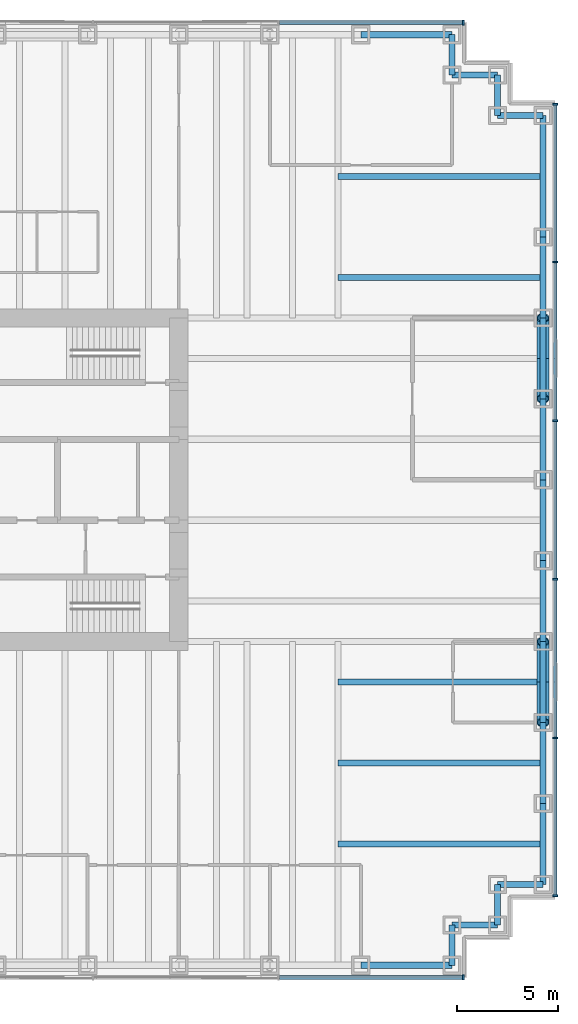
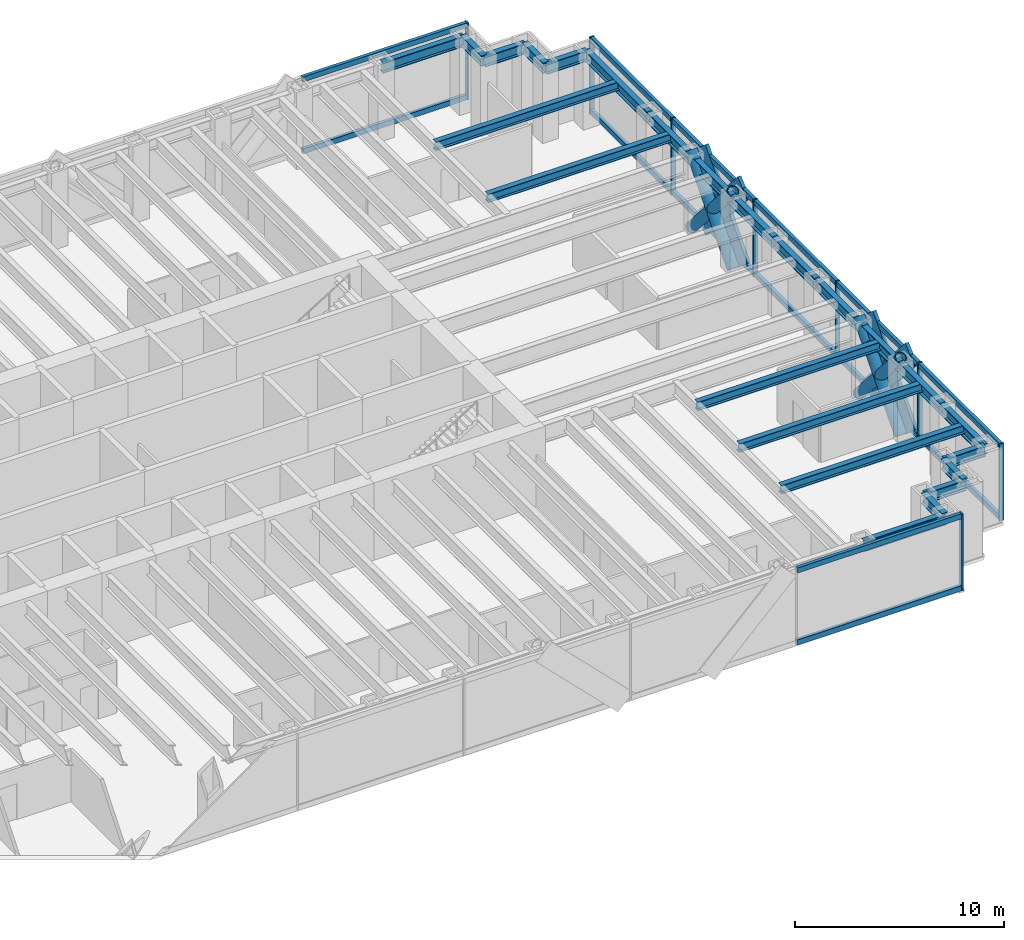
# One storey, part 7 of 13: 30 members, 24 beams, 3 elements without a shape of their own.
"""IFC4 building model written with IfcOpenShell, lengths in metres."""

import ifcopenshell
import ifcopenshell.guid

model = None  # the IFC model being written
_history = None  # IfcOwnerHistory: only IFC2X3 demands one
_inside = {}  # id of a spatial element -> (the spatial element, [elements in it])
_under = {}  # id of a project, library or spatial element -> (it, [spatial elements below it])
_declared = {}  # id of a project -> (the project, [libraries it declares])
_typed = {}  # id of a type object -> (the type object, [elements of that type])
_made_of = {}  # id of a material, layer set ... -> (it, [elements and type objects made of it])


def new_model(schema):
    """Start an empty IFC model of exactly this schema.

    Asked for "IFC4X3", IfcOpenShell would pick the latest addendum, in which some entities
    have other attributes; the version numbers below select the first issue.
    IFC2X3 requires an IfcOwnerHistory on every rooted entity: one is made here for all.
    """
    global model, _history
    if schema == "IFC4X3":
        model = ifcopenshell.file(schema_version=(4, 3, 0, 0))
    else:
        model = ifcopenshell.file(schema=schema)
    _inside.clear()
    _under.clear()
    _declared.clear()
    _typed.clear()
    _made_of.clear()
    _history = None
    if model.schema == "IFC2X3":
        org = make("IfcOrganization", Name="unknown")
        user = make(
            "IfcPersonAndOrganization",
            ThePerson=make("IfcPerson", FamilyName="unknown"),
            TheOrganization=org,
        )
        app = make(
            "IfcApplication",
            ApplicationDeveloper=org,
            Version="unknown",
            ApplicationFullName="unknown",
            ApplicationIdentifier="unknown",
        )
        _history = make(
            "IfcOwnerHistory",
            OwningUser=user,
            OwningApplication=app,
            ChangeAction="ADDED",
            CreationDate=0,
        )
    return model


def make(cls, **values):
    """One entity of the class cls with the attributes given. An attribute that is None is left unset."""
    return model.create_entity(
        cls, **{name: value for name, value in values.items() if value is not None}
    )


def rooted(cls, **values):
    """An entity with a GlobalId (a new one), such as an element, a storey or a relation."""
    return make(cls, GlobalId=ifcopenshell.guid.new(), OwnerHistory=_history, **values)


def si_unit(unit_type, name, prefix=None):
    """IfcSIUnit, for example si_unit("LENGTHUNIT", "METRE", prefix="MILLI")."""
    return make("IfcSIUnit", UnitType=unit_type, Prefix=prefix, Name=name)


def assignment(units):
    """IfcUnitAssignment: the units of a project."""
    return None if units is None else make("IfcUnitAssignment", Units=units)


def point(xyz):
    """IfcCartesianPoint."""
    return None if xyz is None else make("IfcCartesianPoint", Coordinates=xyz)


def direction(xyz):
    """IfcDirection."""
    return None if xyz is None else make("IfcDirection", DirectionRatios=xyz)


def frame(location, z_axis=None, x_axis=None):
    """IfcAxis2Placement3D, a coordinate frame: its origin and axes. An axis left out is left unset."""
    return make(
        "IfcAxis2Placement3D",
        Location=point(location),
        Axis=direction(z_axis),
        RefDirection=direction(x_axis),
    )


def frame_2d(location, x_axis=None):
    """IfcAxis2Placement2D, a coordinate frame in the plane: its origin and x axis."""
    return make(
        "IfcAxis2Placement2D", Location=point(location), RefDirection=direction(x_axis)
    )


def origin():
    """The frame at (0, 0, 0) with its axes left unset."""
    return frame((0.0, 0.0, 0.0))


def origin_2d():
    """The frame at (0, 0) in the plane with its x axis left unset."""
    return frame_2d((0.0, 0.0))


def place(relative_to, where):
    """IfcLocalPlacement: puts the frame where relative to a parent placement (None: the world)."""
    return make(
        "IfcLocalPlacement", PlacementRelTo=relative_to, RelativePlacement=where
    )


def context(
    kind, dimensions, precision=None, world=None, true_north=None, identifier=None
):
    """IfcGeometricRepresentationContext, for example the 3D "Model" context."""
    return make(
        "IfcGeometricRepresentationContext",
        ContextIdentifier=identifier,
        ContextType=kind,
        CoordinateSpaceDimension=dimensions,
        Precision=precision,
        WorldCoordinateSystem=world,
        TrueNorth=true_north,
    )


def subcontext(parent, identifier, kind, view, scale=None):
    """IfcGeometricRepresentationSubContext, for example "Body" below "Model"."""
    return make(
        "IfcGeometricRepresentationSubContext",
        ContextIdentifier=identifier,
        ContextType=kind,
        ParentContext=parent,
        TargetScale=scale,
        TargetView=view,
    )


def project(units=None, contexts=None):
    """IfcProject with its units and contexts."""
    return rooted(
        "IfcProject",
        Name="project",
        RepresentationContexts=contexts,
        UnitsInContext=assignment(units),
    )


def spatial(cls, under=None, at=None, **own):
    """A site, building, storey or space (cls), placed at a placement, below another one or the project."""
    s = rooted(cls, ObjectPlacement=at, **own)
    if under is not None:
        _under.setdefault(under.id(), (under, []))[1].append(s)
    return s


def profile(cls, at=None, kind="AREA", **sizes):
    """A parametric profile (cls). Its sizes go by their IFC names, for example OverallWidth=200.0."""
    return make(cls, ProfileType=kind, Position=at, **sizes)


def rectangle(**sizes):
    """IfcRectangleProfileDef."""
    return profile("IfcRectangleProfileDef", **sizes)


def hollow_circle(**sizes):
    """IfcCircleHollowProfileDef."""
    return profile("IfcCircleHollowProfileDef", **sizes)


def i_section(**sizes):
    """IfcIShapeProfileDef."""
    return profile("IfcIShapeProfileDef", **sizes)


def extrude(swept, where, along, depth):
    """IfcExtrudedAreaSolid: the profile swept, set in the frame where, extruded along a direction by depth."""
    return make(
        "IfcExtrudedAreaSolid",
        SweptArea=swept,
        Position=where,
        ExtrudedDirection=direction(along),
        Depth=depth,
    )


def shape(context_of_items, identifier, shape_type, items):
    """IfcShapeRepresentation: the items that make up one representation, for example the "Body"."""
    return make(
        "IfcShapeRepresentation",
        ContextOfItems=context_of_items,
        RepresentationIdentifier=identifier,
        RepresentationType=shape_type,
        Items=items,
    )


def material(Name=None, Category=None):
    """IfcMaterial."""
    return make("IfcMaterial", Name=Name, Category=Category)


def material_profile(
    of_material, cross_section, Name=None, Category=None, Priority=None
):
    """IfcMaterialProfile: a cross section and its material."""
    return make(
        "IfcMaterialProfile",
        Name=Name,
        Material=of_material,
        Profile=cross_section,
        Priority=Priority,
        Category=Category,
    )


def profile_set(profiles, Name=None, composite=None):
    """IfcMaterialProfileSet."""
    return make(
        "IfcMaterialProfileSet",
        Name=Name,
        MaterialProfiles=profiles,
        CompositeProfile=composite,
    )


def made_of(thing, what):
    """Note that an element or type object is made of a material, layer set ...; save() writes the relation."""
    if what is not None:
        _made_of.setdefault(what.id(), (what, []))[1].append(thing)
    return thing


def type_object(cls, material=None, **own):
    """A type object (cls), such as IfcWallType, which elements share."""
    return made_of(rooted(cls, **own), material)


def element(
    cls,
    number,
    at=None,
    inside=None,
    cuts=None,
    type_object=None,
    material=None,
    context=None,
    identifier="Body",
    shape_type=None,
    held_by="IfcProductDefinitionShape",
    body=None,
    shapes=None,
    **own,
):
    """One element of the class cls, such as IfcWall. Its Tag is "e" and its number.

    at: its placement. inside: the storey or other place that contains it. cuts: it is an
    opening in that element (IfcRelVoidsElement). A single representation is given by context,
    identifier, shape_type and body (its items); several are given by shapes. held_by: the class
    of the entity that holds the representations. save() writes the other relations.
    """
    e = rooted(cls, Tag="e%d" % number, ObjectPlacement=at, **own)
    if body is not None:
        shapes = [shape(context, identifier, shape_type, body)]
    if shapes is not None:
        e.Representation = make(held_by, Representations=shapes)
    if inside is not None:
        _inside.setdefault(inside.id(), (inside, []))[1].append(e)
    if cuts is not None:
        rooted(
            "IfcRelVoidsElement", RelatingBuildingElement=cuts, RelatedOpeningElement=e
        )
    if type_object is not None:
        _typed.setdefault(type_object.id(), (type_object, []))[1].append(e)
    return made_of(e, material)


def aggregate(whole, parts):
    """IfcRelAggregates: a whole, such as a stair, and the parts it consists of."""
    return rooted("IfcRelAggregates", RelatingObject=whole, RelatedObjects=parts)


def save(model, path):
    """Write the relations noted so far, then the file.

    IfcRelAggregates (storeys below a building ...), IfcRelContainedInSpatialStructure (elements
    in a storey), IfcRelDefinesByType, IfcRelAssociatesMaterial and IfcRelDeclares: one each for
    every whole, place, type object, material and project.
    """
    for whole, parts in _under.values():
        aggregate(whole, parts)
    for where, things in _inside.values():
        rooted(
            "IfcRelContainedInSpatialStructure",
            RelatedElements=things,
            RelatingStructure=where,
        )
    for kind, things in _typed.values():
        rooted("IfcRelDefinesByType", RelatedObjects=things, RelatingType=kind)
    for what, things in _made_of.values():
        rooted("IfcRelAssociatesMaterial", RelatedObjects=things, RelatingMaterial=what)
    for by, libraries in _declared.values():
        rooted("IfcRelDeclares", RelatingContext=by, RelatedDefinitions=libraries)
    model.write(path)


model = new_model("IFC4")

# Units and contexts
model_context = context("Model", 3, precision=1e-05, world=origin(), true_north=direction((0.0, 1.0)))
body_context = subcontext(model_context, "Body", "Model", "MODEL_VIEW")
ifc_project = project(units=[si_unit("LENGTHUNIT", "METRE"), si_unit("AREAUNIT", "SQUARE_METRE"), si_unit("VOLUMEUNIT", "CUBIC_METRE"), si_unit("PLANEANGLEUNIT", "RADIAN"), si_unit("MASSUNIT", "GRAM", prefix="KILO")], contexts=[model_context])

# Site, building, storey
site_placement = place(None, origin())
site = spatial("IfcSite", under=ifc_project, at=site_placement, CompositionType="ELEMENT")
building_placement = place(site_placement, origin())
building = spatial("IfcBuilding", under=site, at=building_placement, Name="Rheinbord Bourse Tower", CompositionType="ELEMENT")
storey_placement = place(building_placement, frame((0.0, 0.0, 50.0)))
storey = spatial("IfcBuildingStorey", under=building, at=storey_placement, Name="L10", CompositionType="ELEMENT", Elevation=50.0)

# Curtain wall, members
ifc_material_1 = material(Name="Dark glass and black aluminium", Category="aluminium")
curtain_wall_type = type_object("IfcCurtainWallType", Name="CW1 DARK GLASS CURTAIN WALL", PredefinedType="USERDEFINED", material=ifc_material_1)
curtain_wall_1_placement = place(storey_placement, origin())
curtain_wall_1 = element("IfcCurtainWall", 1, at=curtain_wall_1_placement, inside=storey, type_object=curtain_wall_type, Name="Curtain wall CW1 E L10", ObjectType="UNITISED CURTAIN WALL", PredefinedType="USERDEFINED")
ifc_material_2 = material(Name="Black anodised aluminium", Category="aluminium")
ifc_material_profile_1 = material_profile(ifc_material_2, rectangle(XDim=0.179931640625, YDim=1.2099609375, at=origin_2d()), Name="CW1 DIAGONAL MULLION 1210x180")
ifc_profile_set_1 = profile_set([ifc_material_profile_1], Name="Black anodised aluminium")
member_type_1 = type_object("IfcMemberType", Name="CW1 BLACK DIAGONAL MULLION", PredefinedType="USERDEFINED", material=ifc_profile_set_1)
member_1_placement = place(storey_placement, frame((72.60009765625, 32.0, 0.0), z_axis=(0.0, -0.66436383883, 0.747409318684), x_axis=(1.0, 0.0, 0.0)))
member_1 = element("IfcMember", 2, at=member_1_placement, type_object=member_type_1, Name="CW1 diagonal mullion a", ObjectType="DIAGONAL MULLION", PredefinedType="USERDEFINED", context=body_context, shape_type="SweptSolid", body=[
    extrude(rectangle(XDim=0.179931640625, YDim=1.2099609375, at=origin_2d()), origin(), (0.0, 0.0, 1.0), 6.020751953125),
])
member_2_placement = place(storey_placement, frame((72.60009765625, 12.0, 0.0), z_axis=(0.0, 0.66436383883, 0.747409318684), x_axis=(-1.0, 0.0, 0.0)))
member_2 = element("IfcMember", 3, at=member_2_placement, type_object=member_type_1, Name="CW1 diagonal mullion b", ObjectType="DIAGONAL MULLION", PredefinedType="USERDEFINED", context=body_context, shape_type="SweptSolid", body=[
    extrude(rectangle(XDim=0.179931640625, YDim=1.2099609375, at=origin_2d()), origin(), (0.0, 0.0, 1.0), 6.020751953125),
])
member_3_placement = place(storey_placement, frame((72.60009765625, 16.0, 0.0), z_axis=(0.0, -0.66436383883, 0.747409318684), x_axis=(1.0, 0.0, 0.0)))
member_3 = element("IfcMember", 4, at=member_3_placement, type_object=member_type_1, Name="CW1 diagonal mullion c", ObjectType="DIAGONAL MULLION", PredefinedType="USERDEFINED", context=body_context, shape_type="SweptSolid", body=[
    extrude(rectangle(XDim=0.179931640625, YDim=1.2099609375, at=origin_2d()), origin(), (0.0, 0.0, 1.0), 6.020751953125),
])
member_4_placement = place(storey_placement, frame((72.60009765625, 28.0, 0.0), z_axis=(0.0, 0.66436383883, 0.747409318684), x_axis=(-1.0, 0.0, 0.0)))
member_4 = element("IfcMember", 5, at=member_4_placement, type_object=member_type_1, Name="CW1 diagonal mullion d", ObjectType="DIAGONAL MULLION", PredefinedType="USERDEFINED", context=body_context, shape_type="SweptSolid", body=[
    extrude(rectangle(XDim=0.179931640625, YDim=1.2099609375, at=origin_2d()), origin(), (0.0, 0.0, 1.0), 6.020751953125),
])

# Curtain wall, member
curtain_wall_2_placement = place(storey_placement, origin())
curtain_wall_2 = element("IfcCurtainWall", 6, at=curtain_wall_2_placement, inside=storey, type_object=curtain_wall_type, Name="Curtain wall CW1 S L10", ObjectType="UNITISED CURTAIN WALL", PredefinedType="USERDEFINED")
ifc_material_3 = material(Name="Black anodised aluminium", Category="aluminium")
ifc_material_profile_2 = material_profile(ifc_material_3, rectangle(XDim=0.25, YDim=0.080078125, at=origin_2d()), Name="CW1 MULLION 80x250")
ifc_profile_set_2 = profile_set([ifc_material_profile_2], Name="Black anodised aluminium")
member_type_2 = type_object("IfcMemberType", Name="CW1 BLACK MULLION", PredefinedType="MULLION", material=ifc_profile_set_2)
member_5_placement = place(storey_placement, frame((68.06005859375, -0.60009765625, 0.0), z_axis=(0.0, 0.0, 1.0), x_axis=(0.0, 1.0, 0.0)))
member_5 = element("IfcMember", 7, at=member_5_placement, type_object=member_type_2, Name="CW1 mullion 8", PredefinedType="MULLION", context=body_context, shape_type="SweptSolid", body=[
    extrude(rectangle(XDim=0.25, YDim=0.080078125, at=origin_2d()), origin(), (0.0, 0.0, 1.0), 4.5),
])

# Member
member_6_placement = place(storey_placement, frame((72.60009765625, 3.43994140625, 0.0), z_axis=(0.0, 0.0, 1.0), x_axis=(-1.0, 0.0, 0.0)))
member_6 = element("IfcMember", 8, at=member_6_placement, type_object=member_type_2, Name="CW1 mullion 1", PredefinedType="MULLION", context=body_context, shape_type="SweptSolid", body=[
    extrude(rectangle(XDim=0.25, YDim=0.080078125, at=origin_2d()), origin(), (0.0, 0.0, 1.0), 4.5),
])

member_7_placement = place(storey_placement, frame((72.60009765625, 11.239990234375, 0.0), z_axis=(0.0, 0.0, 1.0), x_axis=(-1.0, 0.0, 0.0)))
member_7 = element("IfcMember", 9, at=member_7_placement, type_object=member_type_2, Name="CW1 mullion 2", PredefinedType="MULLION", context=body_context, shape_type="SweptSolid", body=[
    extrude(rectangle(XDim=0.25, YDim=0.080078125, at=origin_2d()), origin(), (0.0, 0.0, 1.0), 4.5),
])

member_8_placement = place(storey_placement, frame((72.60009765625, 19.080078125, 0.0), z_axis=(0.0, 0.0, 1.0), x_axis=(-1.0, 0.0, 0.0)))
member_8 = element("IfcMember", 10, at=member_8_placement, type_object=member_type_2, Name="CW1 mullion 3", PredefinedType="MULLION", context=body_context, shape_type="SweptSolid", body=[
    extrude(rectangle(XDim=0.25, YDim=0.080078125, at=origin_2d()), origin(), (0.0, 0.0, 1.0), 4.5),
])

member_9_placement = place(storey_placement, frame((72.60009765625, 26.919921875, 0.0), z_axis=(0.0, 0.0, 1.0), x_axis=(-1.0, 0.0, 0.0)))
member_9 = element("IfcMember", 11, at=member_9_placement, type_object=member_type_2, Name="CW1 mullion 4", PredefinedType="MULLION", context=body_context, shape_type="SweptSolid", body=[
    extrude(rectangle(XDim=0.25, YDim=0.080078125, at=origin_2d()), origin(), (0.0, 0.0, 1.0), 4.5),
])

member_10_placement = place(storey_placement, frame((72.60009765625, 34.760009765625, 0.0), z_axis=(0.0, 0.0, 1.0), x_axis=(-1.0, 0.0, 0.0)))
member_10 = element("IfcMember", 12, at=member_10_placement, type_object=member_type_2, Name="CW1 mullion 5", PredefinedType="MULLION", context=body_context, shape_type="SweptSolid", body=[
    extrude(rectangle(XDim=0.25, YDim=0.080078125, at=origin_2d()), origin(), (0.0, 0.0, 1.0), 4.5),
])

member_11_placement = place(storey_placement, frame((72.60009765625, 42.56005859375, 0.0), z_axis=(0.0, 0.0, 1.0), x_axis=(-1.0, 0.0, 0.0)))
member_11 = element("IfcMember", 13, at=member_11_placement, type_object=member_type_2, Name="CW1 mullion 6", PredefinedType="MULLION", context=body_context, shape_type="SweptSolid", body=[
    extrude(rectangle(XDim=0.25, YDim=0.080078125, at=origin_2d()), origin(), (0.0, 0.0, 1.0), 4.5),
])

# Curtain wall, member
curtain_wall_3_placement = place(storey_placement, origin())
curtain_wall_3 = element("IfcCurtainWall", 14, at=curtain_wall_3_placement, inside=storey, type_object=curtain_wall_type, Name="Curtain wall CW1 N L10", ObjectType="UNITISED CURTAIN WALL", PredefinedType="USERDEFINED")
member_12_placement = place(storey_placement, frame((68.06005859375, 46.60009765625, 0.0), z_axis=(0.0, 0.0, 1.0), x_axis=(0.0, -1.0, 0.0)))
member_12 = element("IfcMember", 15, at=member_12_placement, type_object=member_type_2, Name="CW1 mullion 1", PredefinedType="MULLION", context=body_context, shape_type="SweptSolid", body=[
    extrude(rectangle(XDim=0.25, YDim=0.080078125, at=origin_2d()), origin(), (0.0, 0.0, 1.0), 4.5),
])

# Member
ifc_material_4 = material(Name="Black anodised aluminium", Category="aluminium")
ifc_material_profile_3 = material_profile(ifc_material_4, rectangle(XDim=0.179931640625, YDim=0.300048828125, at=origin_2d()), Name="CW1 TRANSOM 300x180")
ifc_profile_set_3 = profile_set([ifc_material_profile_3], Name="Black anodised aluminium")
member_type_3 = type_object("IfcMemberType", Name="CW1 BLACK TRANSOM", PredefinedType="USERDEFINED", material=ifc_profile_set_3)
member_13_placement = place(storey_placement, frame((58.968505859375, -0.60009765625, 0.14990234375), z_axis=(1.0, 0.0, 0.0), x_axis=(0.0, 1.0, 0.0)))
member_13 = element("IfcMember", 16, at=member_13_placement, type_object=member_type_3, Name="CW1 transom 7.1", ObjectType="TRANSOM", PredefinedType="USERDEFINED", context=body_context, shape_type="SweptSolid", body=[
    extrude(rectangle(XDim=0.179931640625, YDim=0.300048828125, at=origin_2d()), origin(), (0.0, 0.0, 1.0), 9.051513671875),
])

member_14_placement = place(storey_placement, frame((58.968505859375, -0.60009765625, 4.35009765625), z_axis=(1.0, 0.0, 0.0), x_axis=(0.0, 1.0, 0.0)))
member_14 = element("IfcMember", 17, at=member_14_placement, type_object=member_type_3, Name="CW1 transom 7.2", ObjectType="TRANSOM", PredefinedType="USERDEFINED", context=body_context, shape_type="SweptSolid", body=[
    extrude(rectangle(XDim=0.179931640625, YDim=0.300048828125, at=origin_2d()), origin(), (0.0, 0.0, 1.0), 9.051513671875),
])

aggregate(curtain_wall_2, [member_5, member_13, member_14])

member_15_placement = place(storey_placement, frame((72.60009765625, 3.47998046875, 0.14990234375), z_axis=(0.0, 1.0, 0.0), x_axis=(-1.0, 0.0, 0.0)))
member_15 = element("IfcMember", 18, at=member_15_placement, type_object=member_type_3, Name="CW1 transom 1.1", ObjectType="TRANSOM", PredefinedType="USERDEFINED", context=body_context, shape_type="SweptSolid", body=[
    extrude(rectangle(XDim=0.179931640625, YDim=0.300048828125, at=origin_2d()), origin(), (0.0, 0.0, 1.0), 7.719970703125),
])

member_16_placement = place(storey_placement, frame((72.60009765625, 3.47998046875, 4.35009765625), z_axis=(0.0, 1.0, 0.0), x_axis=(-1.0, 0.0, 0.0)))
member_16 = element("IfcMember", 19, at=member_16_placement, type_object=member_type_3, Name="CW1 transom 1.2", ObjectType="TRANSOM", PredefinedType="USERDEFINED", context=body_context, shape_type="SweptSolid", body=[
    extrude(rectangle(XDim=0.179931640625, YDim=0.300048828125, at=origin_2d()), origin(), (0.0, 0.0, 1.0), 7.719970703125),
])

member_17_placement = place(storey_placement, frame((72.60009765625, 11.280029296875, 0.14990234375), z_axis=(0.0, 1.0, 0.0), x_axis=(-1.0, 0.0, 0.0)))
member_17 = element("IfcMember", 20, at=member_17_placement, type_object=member_type_3, Name="CW1 transom 2.1", ObjectType="TRANSOM", PredefinedType="USERDEFINED", context=body_context, shape_type="SweptSolid", body=[
    extrude(rectangle(XDim=0.179931640625, YDim=0.300048828125, at=origin_2d()), origin(), (0.0, 0.0, 1.0), 7.760009765625),
])

member_18_placement = place(storey_placement, frame((72.60009765625, 11.280029296875, 4.35009765625), z_axis=(0.0, 1.0, 0.0), x_axis=(-1.0, 0.0, 0.0)))
member_18 = element("IfcMember", 21, at=member_18_placement, type_object=member_type_3, Name="CW1 transom 2.2", ObjectType="TRANSOM", PredefinedType="USERDEFINED", context=body_context, shape_type="SweptSolid", body=[
    extrude(rectangle(XDim=0.179931640625, YDim=0.300048828125, at=origin_2d()), origin(), (0.0, 0.0, 1.0), 7.760009765625),
])

member_19_placement = place(storey_placement, frame((72.60009765625, 19.1201171875, 0.14990234375), z_axis=(0.0, 1.0, 0.0), x_axis=(-1.0, 0.0, 0.0)))
member_19 = element("IfcMember", 22, at=member_19_placement, type_object=member_type_3, Name="CW1 transom 3.1", ObjectType="TRANSOM", PredefinedType="USERDEFINED", context=body_context, shape_type="SweptSolid", body=[
    extrude(rectangle(XDim=0.179931640625, YDim=0.300048828125, at=origin_2d()), origin(), (0.0, 0.0, 1.0), 7.759765625),
])

member_20_placement = place(storey_placement, frame((72.60009765625, 19.1201171875, 4.35009765625), z_axis=(0.0, 1.0, 0.0), x_axis=(-1.0, 0.0, 0.0)))
member_20 = element("IfcMember", 23, at=member_20_placement, type_object=member_type_3, Name="CW1 transom 3.2", ObjectType="TRANSOM", PredefinedType="USERDEFINED", context=body_context, shape_type="SweptSolid", body=[
    extrude(rectangle(XDim=0.179931640625, YDim=0.300048828125, at=origin_2d()), origin(), (0.0, 0.0, 1.0), 7.759765625),
])

member_21_placement = place(storey_placement, frame((72.60009765625, 26.9599609375, 0.14990234375), z_axis=(0.0, 1.0, 0.0), x_axis=(-1.0, 0.0, 0.0)))
member_21 = element("IfcMember", 24, at=member_21_placement, type_object=member_type_3, Name="CW1 transom 4.1", ObjectType="TRANSOM", PredefinedType="USERDEFINED", context=body_context, shape_type="SweptSolid", body=[
    extrude(rectangle(XDim=0.179931640625, YDim=0.300048828125, at=origin_2d()), origin(), (0.0, 0.0, 1.0), 7.760009765625),
])

member_22_placement = place(storey_placement, frame((72.60009765625, 26.9599609375, 4.35009765625), z_axis=(0.0, 1.0, 0.0), x_axis=(-1.0, 0.0, 0.0)))
member_22 = element("IfcMember", 25, at=member_22_placement, type_object=member_type_3, Name="CW1 transom 4.2", ObjectType="TRANSOM", PredefinedType="USERDEFINED", context=body_context, shape_type="SweptSolid", body=[
    extrude(rectangle(XDim=0.179931640625, YDim=0.300048828125, at=origin_2d()), origin(), (0.0, 0.0, 1.0), 7.760009765625),
])

member_23_placement = place(storey_placement, frame((72.60009765625, 34.800048828125, 0.14990234375), z_axis=(0.0, 1.0, 0.0), x_axis=(-1.0, 0.0, 0.0)))
member_23 = element("IfcMember", 26, at=member_23_placement, type_object=member_type_3, Name="CW1 transom 5.1", ObjectType="TRANSOM", PredefinedType="USERDEFINED", context=body_context, shape_type="SweptSolid", body=[
    extrude(rectangle(XDim=0.179931640625, YDim=0.300048828125, at=origin_2d()), origin(), (0.0, 0.0, 1.0), 7.719970703125),
])

member_24_placement = place(storey_placement, frame((72.60009765625, 34.800048828125, 4.35009765625), z_axis=(0.0, 1.0, 0.0), x_axis=(-1.0, 0.0, 0.0)))
member_24 = element("IfcMember", 27, at=member_24_placement, type_object=member_type_3, Name="CW1 transom 5.2", ObjectType="TRANSOM", PredefinedType="USERDEFINED", context=body_context, shape_type="SweptSolid", body=[
    extrude(rectangle(XDim=0.179931640625, YDim=0.300048828125, at=origin_2d()), origin(), (0.0, 0.0, 1.0), 7.719970703125),
])

aggregate(curtain_wall_1, [member_6, member_7, member_8, member_9, member_10, member_11, member_15, member_16, member_17, member_18, member_19, member_20, member_21, member_22, member_23, member_24, member_1, member_2, member_3, member_4])

member_25_placement = place(storey_placement, frame((68.02001953125, 46.60009765625, 0.14990234375), z_axis=(-1.0, 0.0, 0.0), x_axis=(0.0, -1.0, 0.0)))
member_25 = element("IfcMember", 28, at=member_25_placement, type_object=member_type_3, Name="CW1 transom 1.1", ObjectType="TRANSOM", PredefinedType="USERDEFINED", context=body_context, shape_type="SweptSolid", body=[
    extrude(rectangle(XDim=0.179931640625, YDim=0.300048828125, at=origin_2d()), origin(), (0.0, 0.0, 1.0), 9.051513671875),
])

member_26_placement = place(storey_placement, frame((68.02001953125, 46.60009765625, 4.35009765625), z_axis=(-1.0, 0.0, 0.0), x_axis=(0.0, -1.0, 0.0)))
member_26 = element("IfcMember", 29, at=member_26_placement, type_object=member_type_3, Name="CW1 transom 1.2", ObjectType="TRANSOM", PredefinedType="USERDEFINED", context=body_context, shape_type="SweptSolid", body=[
    extrude(rectangle(XDim=0.179931640625, YDim=0.300048828125, at=origin_2d()), origin(), (0.0, 0.0, 1.0), 9.051513671875),
])

aggregate(curtain_wall_3, [member_12, member_25, member_26])

# Members
ifc_material_5 = material(Name="Steel S460", Category="steel")
ifc_material_profile_4 = material_profile(ifc_material_5, hollow_circle(Radius=0.304931640625, WallThickness=0.050048828125, at=origin_2d()), Name="CHS 610x50")
ifc_profile_set_4 = profile_set([ifc_material_profile_4], Name="Steel S460")
member_type_4 = type_object("IfcMemberType", Name="MEGABRACE CHS 610x50", PredefinedType="BRACE", material=ifc_profile_set_4)
for number, where, z_axis, x_axis, name in (
    (30, (72.0, 32.0, 0.0), (0.0, -0.66436383883, 0.747409318684), (1.0, 0.0, 0.0), "Megabrace E face line a L10"),
    (31, (72.0, 12.0, 0.0), (0.0, 0.66436383883, 0.747409318684), (-1.0, 0.0, 0.0), "Megabrace E face line b L10"),
    (32, (72.0, 16.0, 0.0), (0.0, -0.66436383883, 0.747409318684), (1.0, 0.0, 0.0), "Megabrace E face line c L10"),
    (33, (72.0, 28.0, 0.0), (0.0, 0.66436383883, 0.747409318684), (-1.0, 0.0, 0.0), "Megabrace E face line d L10"),
):
    element("IfcMember", number, at=place(storey_placement, frame(where, z_axis=z_axis, x_axis=x_axis)), inside=storey, type_object=member_type_4, Name=name, PredefinedType="BRACE", context=body_context, shape_type="SweptSolid", body=[
        extrude(hollow_circle(Radius=0.304931640625, WallThickness=0.050048828125, at=origin_2d()), origin(), (0.0, 0.0, 1.0), 6.020751953125),
    ])

# Beams
ifc_material_6 = material(Name="Steel S460", Category="steel")
ifc_material_profile_5 = material_profile(ifc_material_6, i_section(OverallWidth=0.304931640625, OverallDepth=0.6201171875, WebThickness=0.02099609375, FlangeThickness=0.0400390625, at=origin_2d()), Name="HEM 600")
ifc_profile_set_5 = profile_set([ifc_material_profile_5], Name="Steel S460")
beam_type_1 = type_object("IfcBeamType", Name="SPANDREL HEM 600", PredefinedType="SPANDREL", material=ifc_profile_set_5)
beam_1_placement = place(storey_placement, frame((63.0, 0.0, 4.010009765625), z_axis=(1.0, 0.0, 0.0), x_axis=(0.0, 1.0, 0.0)))
element("IfcBeam", 34, at=beam_1_placement, inside=storey, type_object=beam_type_1, Name="Spandrel S-63-SE-E under L11", PredefinedType="SPANDREL", context=body_context, shape_type="SweptSolid", body=[
    extrude(i_section(OverallWidth=0.304931640625, OverallDepth=0.6201171875, WebThickness=0.02099609375, FlangeThickness=0.0400390625, at=origin_2d()), origin(), (0.0, 0.0, 1.0), 4.5),
])
beam_2_placement = place(storey_placement, frame((67.5, 0.0, 4.010009765625), z_axis=(0.0, 1.0, 0.0), x_axis=(-1.0, 0.0, 0.0)))
element("IfcBeam", 35, at=beam_2_placement, inside=storey, type_object=beam_type_1, Name="Spandrel SE-E-SE-D under L11", PredefinedType="SPANDREL", context=body_context, shape_type="SweptSolid", body=[
    extrude(i_section(OverallWidth=0.304931640625, OverallDepth=0.6201171875, WebThickness=0.02099609375, FlangeThickness=0.0400390625, at=origin_2d()), origin(), (0.0, 0.0, 1.0), 2.0),
])
beam_3_placement = place(storey_placement, frame((67.5, 2.0, 4.010009765625), z_axis=(1.0, 0.0, 0.0), x_axis=(0.0, 1.0, 0.0)))
element("IfcBeam", 36, at=beam_3_placement, inside=storey, type_object=beam_type_1, Name="Spandrel SE-D-SE-C under L11", PredefinedType="SPANDREL", context=body_context, shape_type="SweptSolid", body=[
    extrude(i_section(OverallWidth=0.304931640625, OverallDepth=0.6201171875, WebThickness=0.02099609375, FlangeThickness=0.0400390625, at=origin_2d()), origin(), (0.0, 0.0, 1.0), 2.25),
])
beam_4_placement = place(storey_placement, frame((69.75, 2.0, 4.010009765625), z_axis=(0.0, 1.0, 0.0), x_axis=(-1.0, 0.0, 0.0)))
element("IfcBeam", 37, at=beam_4_placement, inside=storey, type_object=beam_type_1, Name="Spandrel SE-C-SE-B under L11", PredefinedType="SPANDREL", context=body_context, shape_type="SweptSolid", body=[
    extrude(i_section(OverallWidth=0.304931640625, OverallDepth=0.6201171875, WebThickness=0.02099609375, FlangeThickness=0.0400390625, at=origin_2d()), origin(), (0.0, 0.0, 1.0), 2.0),
])
beam_5_placement = place(storey_placement, frame((69.75, 4.0, 4.010009765625), z_axis=(1.0, 0.0, 0.0), x_axis=(0.0, 1.0, 0.0)))
element("IfcBeam", 38, at=beam_5_placement, inside=storey, type_object=beam_type_1, Name="Spandrel SE-B-SE-A under L11", PredefinedType="SPANDREL", context=body_context, shape_type="SweptSolid", body=[
    extrude(i_section(OverallWidth=0.304931640625, OverallDepth=0.6201171875, WebThickness=0.02099609375, FlangeThickness=0.0400390625, at=origin_2d()), origin(), (0.0, 0.0, 1.0), 2.25),
])
for number, where, z_axis, x_axis, name in (
    (39, (72.0, 4.0, 4.010009765625), (0.0, 1.0, 0.0), (-1.0, 0.0, 0.0), "Spandrel SE-A-E-8 under L11"),
    (40, (72.0, 8.0, 4.010009765625), (0.0, 1.0, 0.0), (-1.0, 0.0, 0.0), "Spandrel E-8-E-12 under L11"),
    (41, (72.0, 12.0, 4.010009765625), (0.0, 1.0, 0.0), (-1.0, 0.0, 0.0), "Spandrel E-12-E-16 under L11"),
    (42, (72.0, 16.0, 4.010009765625), (0.0, 1.0, 0.0), (-1.0, 0.0, 0.0), "Spandrel E-16-E-20 under L11"),
    (43, (72.0, 20.0, 4.010009765625), (0.0, 1.0, 0.0), (-1.0, 0.0, 0.0), "Spandrel E-20-E-24 under L11"),
    (44, (72.0, 24.0, 4.010009765625), (0.0, 1.0, 0.0), (-1.0, 0.0, 0.0), "Spandrel E-24-E-28 under L11"),
    (45, (72.0, 28.0, 4.010009765625), (0.0, 1.0, 0.0), (-1.0, 0.0, 0.0), "Spandrel E-28-E-32 under L11"),
    (46, (72.0, 32.0, 4.010009765625), (0.0, 1.0, 0.0), (-1.0, 0.0, 0.0), "Spandrel E-32-E-36 under L11"),
):
    element("IfcBeam", number, at=place(storey_placement, frame(where, z_axis=z_axis, x_axis=x_axis)), inside=storey, type_object=beam_type_1, Name=name, PredefinedType="SPANDREL", context=body_context, shape_type="SweptSolid", body=[
        extrude(i_section(OverallWidth=0.304931640625, OverallDepth=0.6201171875, WebThickness=0.02099609375, FlangeThickness=0.0400390625, at=origin_2d()), origin(), (0.0, 0.0, 1.0), 4.0),
    ])
beam_6_placement = place(storey_placement, frame((72.0, 36.0, 4.010009765625), z_axis=(0.0, 1.0, 0.0), x_axis=(-1.0, 0.0, 0.0)))
element("IfcBeam", 47, at=beam_6_placement, inside=storey, type_object=beam_type_1, Name="Spandrel E-36-NE-A under L11", PredefinedType="SPANDREL", context=body_context, shape_type="SweptSolid", body=[
    extrude(i_section(OverallWidth=0.304931640625, OverallDepth=0.6201171875, WebThickness=0.02099609375, FlangeThickness=0.0400390625, at=origin_2d()), origin(), (0.0, 0.0, 1.0), 6.0),
])
beam_7_placement = place(storey_placement, frame((72.0, 42.0, 4.010009765625), z_axis=(-1.0, 0.0, 0.0), x_axis=(0.0, -1.0, 0.0)))
element("IfcBeam", 48, at=beam_7_placement, inside=storey, type_object=beam_type_1, Name="Spandrel NE-A-NE-B under L11", PredefinedType="SPANDREL", context=body_context, shape_type="SweptSolid", body=[
    extrude(i_section(OverallWidth=0.304931640625, OverallDepth=0.6201171875, WebThickness=0.02099609375, FlangeThickness=0.0400390625, at=origin_2d()), origin(), (0.0, 0.0, 1.0), 2.25),
])
beam_8_placement = place(storey_placement, frame((69.75, 42.0, 4.010009765625), z_axis=(0.0, 1.0, 0.0), x_axis=(-1.0, 0.0, 0.0)))
element("IfcBeam", 49, at=beam_8_placement, inside=storey, type_object=beam_type_1, Name="Spandrel NE-B-NE-C under L11", PredefinedType="SPANDREL", context=body_context, shape_type="SweptSolid", body=[
    extrude(i_section(OverallWidth=0.304931640625, OverallDepth=0.6201171875, WebThickness=0.02099609375, FlangeThickness=0.0400390625, at=origin_2d()), origin(), (0.0, 0.0, 1.0), 2.0),
])
beam_9_placement = place(storey_placement, frame((69.75, 44.0, 4.010009765625), z_axis=(-1.0, 0.0, 0.0), x_axis=(0.0, -1.0, 0.0)))
element("IfcBeam", 50, at=beam_9_placement, inside=storey, type_object=beam_type_1, Name="Spandrel NE-C-NE-D under L11", PredefinedType="SPANDREL", context=body_context, shape_type="SweptSolid", body=[
    extrude(i_section(OverallWidth=0.304931640625, OverallDepth=0.6201171875, WebThickness=0.02099609375, FlangeThickness=0.0400390625, at=origin_2d()), origin(), (0.0, 0.0, 1.0), 2.25),
])
beam_10_placement = place(storey_placement, frame((67.5, 44.0, 4.010009765625), z_axis=(0.0, 1.0, 0.0), x_axis=(-1.0, 0.0, 0.0)))
element("IfcBeam", 51, at=beam_10_placement, inside=storey, type_object=beam_type_1, Name="Spandrel NE-D-NE-E under L11", PredefinedType="SPANDREL", context=body_context, shape_type="SweptSolid", body=[
    extrude(i_section(OverallWidth=0.304931640625, OverallDepth=0.6201171875, WebThickness=0.02099609375, FlangeThickness=0.0400390625, at=origin_2d()), origin(), (0.0, 0.0, 1.0), 2.0),
])
beam_11_placement = place(storey_placement, frame((67.5, 46.0, 4.010009765625), z_axis=(-1.0, 0.0, 0.0), x_axis=(0.0, -1.0, 0.0)))
element("IfcBeam", 52, at=beam_11_placement, inside=storey, type_object=beam_type_1, Name="Spandrel NE-E-N-63 under L11", PredefinedType="SPANDREL", context=body_context, shape_type="SweptSolid", body=[
    extrude(i_section(OverallWidth=0.304931640625, OverallDepth=0.6201171875, WebThickness=0.02099609375, FlangeThickness=0.0400390625, at=origin_2d()), origin(), (0.0, 0.0, 1.0), 4.5),
])
ifc_material_7 = material(Name="Steel S460", Category="steel")
ifc_material_profile_6 = material_profile(ifc_material_7, i_section(OverallWidth=0.300048828125, OverallDepth=0.5, WebThickness=0.014404296875, FlangeThickness=0.028076171875, at=origin_2d()), Name="HEB 500")
ifc_profile_set_6 = profile_set([ifc_material_profile_6], Name="Steel S460")
beam_type_2 = type_object("IfcBeamType", Name="TIE BEAM HEB 500", PredefinedType="JOIST", material=ifc_profile_set_6)
for number, where, z_axis, x_axis, name in (
    (53, (61.875, 6.0, 4.070068359375), (1.0, 0.0, 0.0), (0.0, 1.0, 0.0), "Tie east 6 L11"),
    (54, (61.875, 10.0, 4.070068359375), (1.0, 0.0, 0.0), (0.0, 1.0, 0.0), "Tie east 10 L11"),
    (55, (61.875, 14.0, 4.070068359375), (1.0, 0.0, 0.0), (0.0, 1.0, 0.0), "Tie east 14 L11"),
    (56, (61.875, 34.0, 4.070068359375), (1.0, 0.0, 0.0), (0.0, 1.0, 0.0), "Tie east 34 L11"),
    (57, (61.875, 39.0, 4.070068359375), (1.0, 0.0, 0.0), (0.0, 1.0, 0.0), "Tie east 39 L11"),
):
    element("IfcBeam", number, at=place(storey_placement, frame(where, z_axis=z_axis, x_axis=x_axis)), inside=storey, type_object=beam_type_2, Name=name, PredefinedType="JOIST", context=body_context, shape_type="SweptSolid", body=[
        extrude(i_section(OverallWidth=0.300048828125, OverallDepth=0.5, WebThickness=0.014404296875, FlangeThickness=0.028076171875, at=origin_2d()), origin(), (0.0, 0.0, 1.0), 10.125),
    ])

save(model, "model.ifc")
